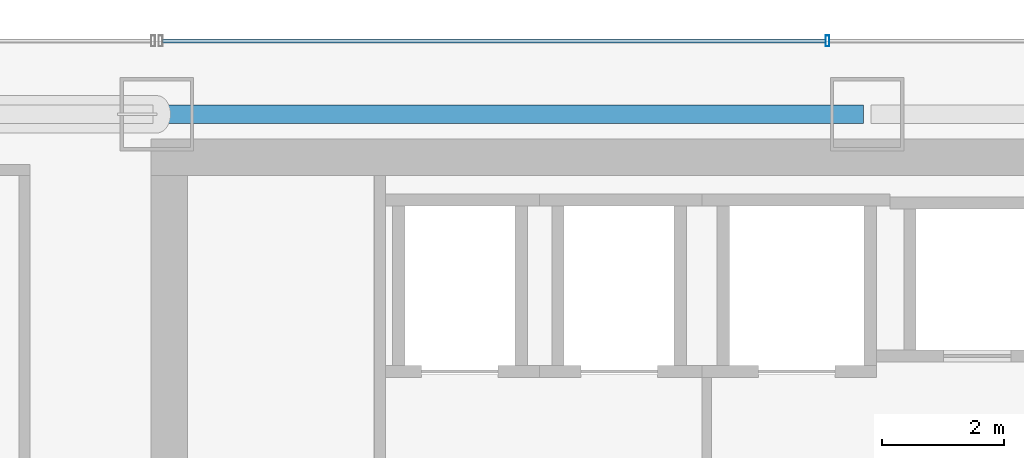
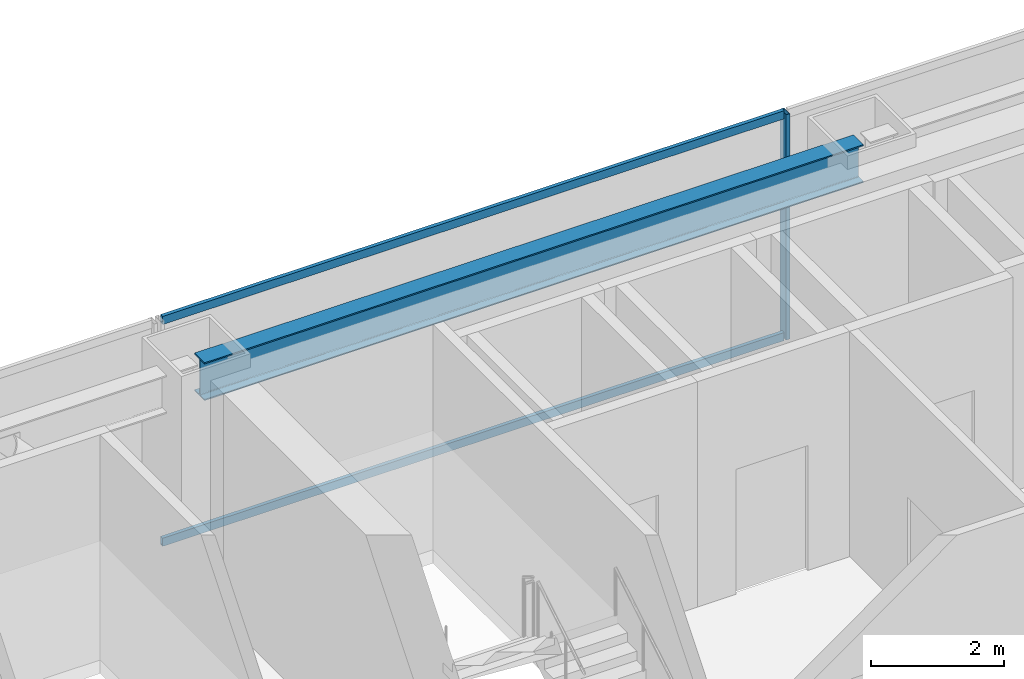
# One storey, part 27 of 47: 3 members, 1 beam, 1 element without a shape of its own.
"""IFC4 building model written with IfcOpenShell, lengths in metres."""

from ifc_helpers import new_model, si_unit, direction, frame, origin, origin_2d, place, context, subcontext, project, spatial, hollow_rectangle, i_section, extrude, material, material_profile, profile_set, type_object, element, aggregate, save


model = new_model("IFC4")

# Units and contexts
model_context = context("Model", 3, precision=1e-05, world=origin(), true_north=direction((0.0, 1.0)))
body_context = subcontext(model_context, "Body", "Model", "MODEL_VIEW")
ifc_project = project(units=[si_unit("LENGTHUNIT", "METRE"), si_unit("AREAUNIT", "SQUARE_METRE"), si_unit("VOLUMEUNIT", "CUBIC_METRE"), si_unit("PLANEANGLEUNIT", "RADIAN"), si_unit("MASSUNIT", "GRAM", prefix="KILO")], contexts=[model_context])

# Site, building, storey
site_placement = place(None, origin())
site = spatial("IfcSite", under=ifc_project, at=site_placement, CompositionType="ELEMENT")
building_placement = place(site_placement, origin())
building = spatial("IfcBuilding", under=site, at=building_placement, Name="Saevonmaru Cultural Tower", CompositionType="ELEMENT")
storey_placement = place(building_placement, frame((0.0, 0.0, 60.39990234375)))
storey = spatial("IfcBuildingStorey", under=building, at=storey_placement, Name="L12", CompositionType="ELEMENT", Elevation=60.39990234375)

# Beam
ifc_material_1 = material(Name="Steel SM355", Category="steel")
ifc_material_profile_1 = material_profile(ifc_material_1, i_section(OverallWidth=0.300048828125, OverallDepth=0.699951171875, WebThickness=0.012939453125, FlangeThickness=0.02392578125, FilletRadius=0.02587890625, at=origin_2d()), Name="H-700x300x13x24")
ifc_profile_set_1 = profile_set([ifc_material_profile_1], Name="Steel SM355")
beam_type = type_object("IfcBeamType", Name="BM-SP-H700", PredefinedType="SPANDREL", material=ifc_profile_set_1)
beam_placement = place(storey_placement, frame((13.659912109375, 54.800048828125, 3.800048828125), z_axis=(1.0, 0.0, 0.0), x_axis=(0.0, 1.0, 0.0)))
element("IfcBeam", 1, at=beam_placement, inside=storey, type_object=beam_type, Name="L12 North Spine Girder 2", PredefinedType="SPANDREL", context=body_context, shape_type="SweptSolid", body=[
    extrude(i_section(OverallWidth=0.300048828125, OverallDepth=0.699951171875, WebThickness=0.012939453125, FlangeThickness=0.02392578125, FilletRadius=0.02587890625, at=origin_2d()), origin(), (0.0, 0.0, 1.0), 11.47998046875),
])

# Curtain wall, members
ifc_material_2 = material(Name="Satin Bronze Anodised Aluminium", Category="aluminium")
curtain_wall_type = type_object("IfcCurtainWallType", Name="CW-TYP-A", PredefinedType="NOTDEFINED", material=ifc_material_2)
curtain_wall_placement = place(storey_placement, origin())
curtain_wall = element("IfcCurtainWall", 2, at=curtain_wall_placement, inside=storey, type_object=curtain_wall_type, Name="L12 North Spine Unitised Curtain Wall E10B", PredefinedType="NOTDEFINED")
ifc_material_profile_2 = material_profile(ifc_material_2, hollow_rectangle(XDim=0.06494140625, YDim=0.179931640625, WallThickness=0.00390625, at=origin_2d()), Name="ALU-MULL-180x65x4")
ifc_profile_set_2 = profile_set([ifc_material_profile_2], Name="Satin Bronze Anodised Aluminium")
member_type_1 = type_object("IfcMemberType", Name="ML-CW-180x65", PredefinedType="MULLION", material=ifc_profile_set_2)
member_1_placement = place(storey_placement, frame((24.55322265625, 56.0, 0.0), z_axis=(0.0, 0.0, 1.0), x_axis=(-1.0, 0.0, 0.0)))
member_1 = element("IfcMember", 3, at=member_1_placement, type_object=member_type_1, Name="CW-TW-L12-E10B mullion 3", PredefinedType="MULLION", context=body_context, shape_type="SweptSolid", body=[
    extrude(hollow_rectangle(XDim=0.06494140625, YDim=0.179931640625, WallThickness=0.00390625, at=origin_2d()), origin(), (0.0, 0.0, 1.0), 4.150146484375),
])
ifc_material_profile_3 = material_profile(ifc_material_2, hollow_rectangle(XDim=0.06494140625, YDim=0.14990234375, WallThickness=0.00390625, at=origin_2d()), Name="ALU-TRAN-150x65x4")
ifc_profile_set_3 = profile_set([ifc_material_profile_3], Name="Satin Bronze Anodised Aluminium")
member_type_2 = type_object("IfcMemberType", Name="TR-CW-150x65", PredefinedType="USERDEFINED", material=ifc_profile_set_3)
member_2_placement = place(storey_placement, frame((24.520751953125, 56.0, 0.03271484375), z_axis=(-1.0, 0.0, 0.0), x_axis=(0.0, -1.0, 0.0)))
member_2 = element("IfcMember", 4, at=member_2_placement, type_object=member_type_2, Name="CW-TW-L12-E10B transom 3.1", ObjectType="TRANSOM", PredefinedType="USERDEFINED", context=body_context, shape_type="SweptSolid", body=[
    extrude(hollow_rectangle(XDim=0.06494140625, YDim=0.14990234375, WallThickness=0.00390625, at=origin_2d()), origin(), (0.0, 0.0, 1.0), 10.828369140625),
])
member_3_placement = place(storey_placement, frame((24.520751953125, 56.0, 4.11767578125), z_axis=(-1.0, 0.0, 0.0), x_axis=(0.0, -1.0, 0.0)))
member_3 = element("IfcMember", 5, at=member_3_placement, type_object=member_type_2, Name="CW-TW-L12-E10B transom 3.2", ObjectType="TRANSOM", PredefinedType="USERDEFINED", context=body_context, shape_type="SweptSolid", body=[
    extrude(hollow_rectangle(XDim=0.06494140625, YDim=0.14990234375, WallThickness=0.00390625, at=origin_2d()), origin(), (0.0, 0.0, 1.0), 10.828369140625),
])
aggregate(curtain_wall, [member_1, member_2, member_3])

save(model, "model.ifc")
